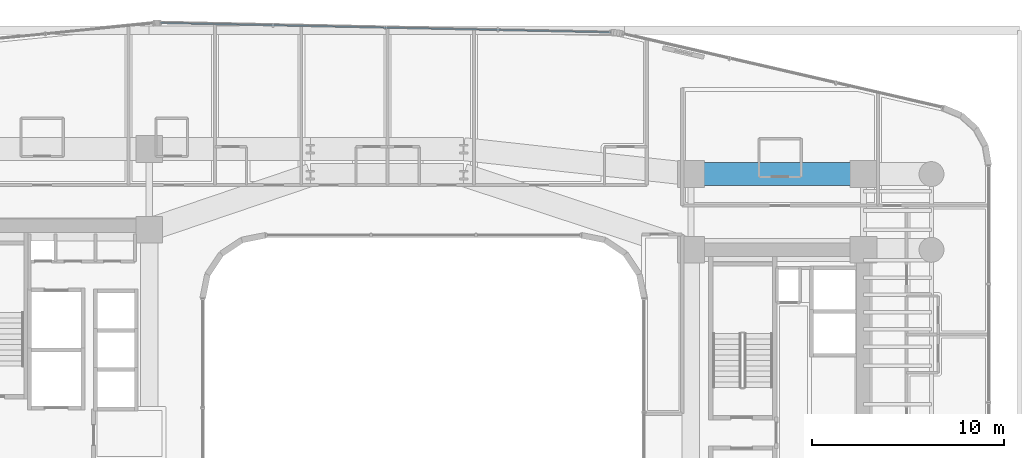
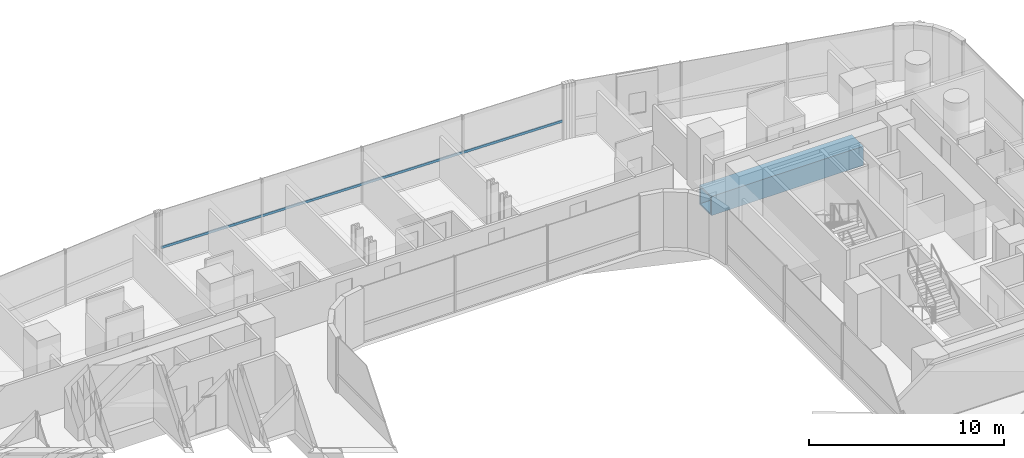
# One storey, part 28 of 50: 1 beam, 1 member, 1 element without a shape of its own.
"""IFC4 building model written with IfcOpenShell, lengths in metres."""

from ifc_helpers import new_model, si_unit, direction, frame, origin, origin_2d, place, context, subcontext, project, spatial, hollow_rectangle, extrude, source, transform, mapped, material, material_profile, profile_set, type_object, element, aggregate, save


model = new_model("IFC4")

# Units and contexts
model_context = context("Model", 3, precision=1e-05, world=origin(), true_north=direction((0.0, 1.0)))
body_context = subcontext(model_context, "Body", "Model", "MODEL_VIEW")
ifc_project = project(units=[si_unit("LENGTHUNIT", "METRE"), si_unit("AREAUNIT", "SQUARE_METRE"), si_unit("VOLUMEUNIT", "CUBIC_METRE"), si_unit("PLANEANGLEUNIT", "RADIAN"), si_unit("MASSUNIT", "GRAM", prefix="KILO")], contexts=[model_context])

# Site, building, storey
site_placement = place(None, origin())
site = spatial("IfcSite", under=ifc_project, at=site_placement, CompositionType="ELEMENT")
building_placement = place(site_placement, origin())
building = spatial("IfcBuilding", under=site, at=building_placement, Name="Valdorenza Pilgrim Sanctuary Tower", CompositionType="ELEMENT")
storey_placement = place(building_placement, frame((0.0, 0.0, 26.0)))
storey = spatial("IfcBuildingStorey", under=building, at=storey_placement, Name="L05", CompositionType="ELEMENT", Elevation=26.0)

# Beam
ifc_material_1 = material(Name="Steel ASTM A572 Grade 42", Category="steel")
ifc_material_profile_1 = material_profile(ifc_material_1, hollow_rectangle(XDim=1.199951171875, YDim=1.199951171875, WallThickness=0.090087890625, at=origin_2d()), Name="BOX 1200x1200x90")
ifc_profile_set_1 = profile_set([ifc_material_profile_1], Name="Steel ASTM A572 Grade 42")
beam_type = type_object("IfcBeamType", Name="STR-BM-TRF-1200", PredefinedType="BEAM", material=ifc_profile_set_1)
shared_shape_1 = source(origin(), body_context, "Body", "SweptSolid", [
    extrude(hollow_rectangle(XDim=1.199951171875, YDim=1.199951171875, WallThickness=0.090087890625, at=origin_2d()), origin(), (0.0, 0.0, 1.0), 9.0),
])
beam_placement = place(storey_placement, frame((15.85009765625, 13.5, -0.840087890625), z_axis=(1.0, 0.0, 0.0), x_axis=(0.0, 1.0, 0.0)))
element("IfcBeam", 1, at=beam_placement, inside=storey, type_object=beam_type, Name="L05 Transfer Girder CB-XC-N2", PredefinedType="BEAM", context=body_context, shape_type="MappedRepresentation", body=[
    mapped(shared_shape_1, transform((0.0, 0.0, 0.0), x_axis=(1.0, 0.0, 0.0), y_axis=(0.0, 1.0, 0.0), z_axis=(0.0, 0.0, 1.0), scale=1.0)),
])

# Curtain wall, member
ifc_material_2 = material(Name="Curtain-wall IGU glazing", Category="glass")
curtain_wall_type = type_object("IfcCurtainWallType", Name="CW-SYS-02", PredefinedType="NOTDEFINED", material=ifc_material_2)
curtain_wall_placement = place(storey_placement, origin())
curtain_wall = element("IfcCurtainWall", 2, at=curtain_wall_placement, inside=storey, type_object=curtain_wall_type, Name="L05 Curtain Wall CW-L05-1-11", PredefinedType="NOTDEFINED")
ifc_material_3 = material(Name="Anodised aluminium AW-6060", Category="aluminium")
ifc_material_profile_2 = material_profile(ifc_material_3, hollow_rectangle(XDim=0.074951171875, YDim=0.14990234375, WallThickness=0.00390625, at=origin_2d()), Name="ALU-T 150x75x4")
ifc_profile_set_2 = profile_set([ifc_material_profile_2], Name="Anodised aluminium AW-6060")
member_type = type_object("IfcMemberType", Name="CW-TRN-02", PredefinedType="USERDEFINED", material=ifc_profile_set_2)
shared_shape_2 = source(origin(), body_context, "Body", "SweptSolid", [
    extrude(hollow_rectangle(XDim=0.074951171875, YDim=0.14990234375, WallThickness=0.00390625, at=origin_2d()), origin(), (0.0, 0.0, 1.0), 23.479248046875),
])
member_placement = place(storey_placement, frame((-11.808349609375, 21.385986328125, 1.1201171875), z_axis=(0.999783083794, -0.020827514476, 0.0), x_axis=(0.020827514476, 0.999783083794, 0.0)))
member = element("IfcMember", 3, at=member_placement, type_object=member_type, Name="CW-L05-1-11 Transom 1", ObjectType="TRANSOM", PredefinedType="USERDEFINED", context=body_context, shape_type="MappedRepresentation", body=[
    mapped(shared_shape_2, transform((0.0, 0.0, 0.0), x_axis=(1.0, 0.0, 0.0), y_axis=(0.0, 1.0, 0.0), z_axis=(0.0, 0.0, 1.0), scale=1.0)),
])
aggregate(curtain_wall, [member])

save(model, "model.ifc")
